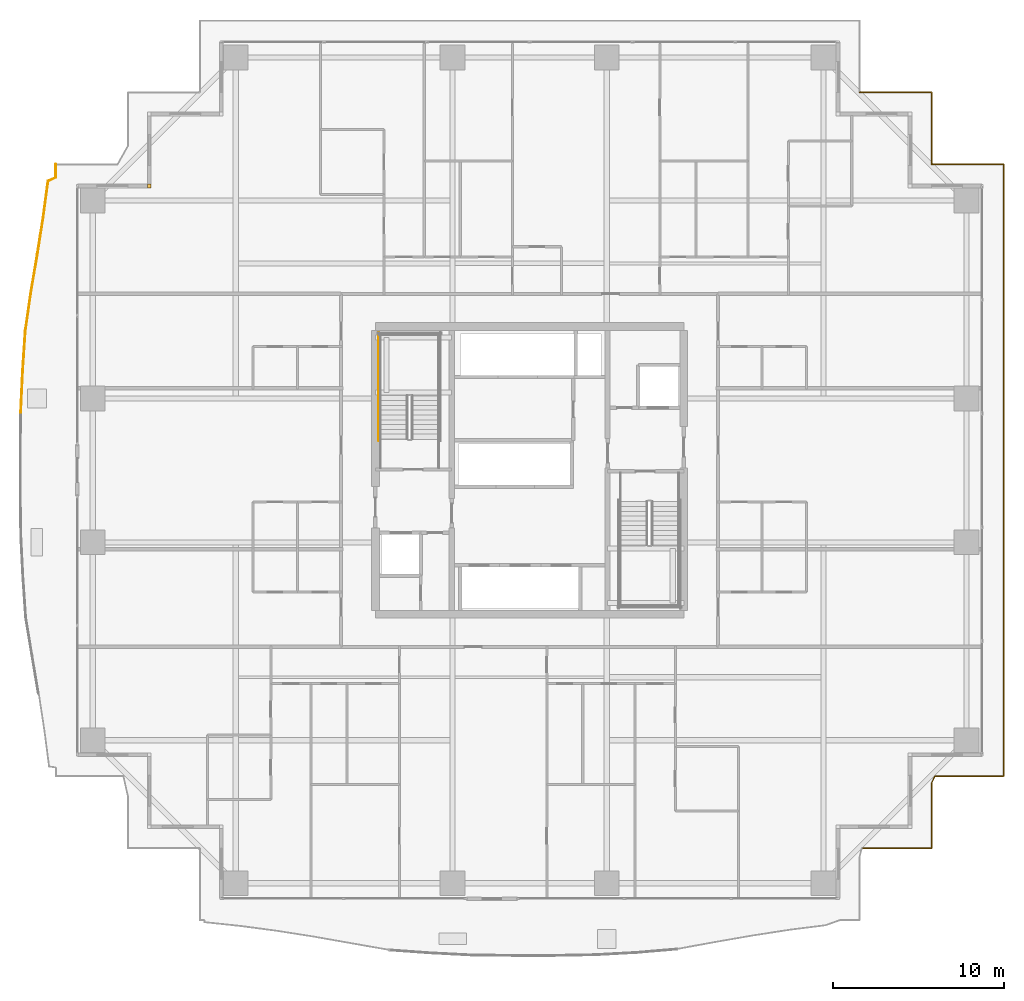
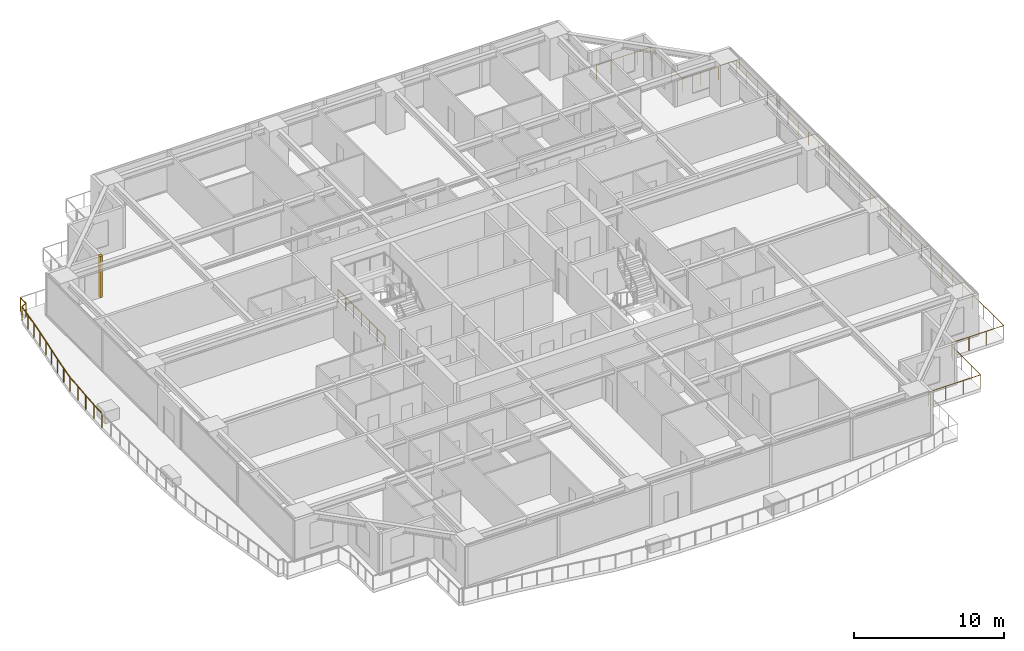
# One storey, part 38 of 40: 3 railings, 1 covering.
"""IFC4 building model written with IfcOpenShell, lengths in metres."""

from ifc_helpers import new_model, si_unit, direction, frame, origin, origin_2d, place, context, subcontext, project, spatial, rectangle, circle, extrude, source, transform, mapped, material, layer, layer_set, type_object, element, save


model = new_model("IFC4")

# Units and contexts
model_context = context("Model", 3, precision=1e-05, world=origin(), true_north=direction((0.0, 1.0)))
body_context = subcontext(model_context, "Body", "Model", "MODEL_VIEW")
ifc_project = project(units=[si_unit("LENGTHUNIT", "METRE"), si_unit("AREAUNIT", "SQUARE_METRE"), si_unit("VOLUMEUNIT", "CUBIC_METRE"), si_unit("PLANEANGLEUNIT", "RADIAN"), si_unit("MASSUNIT", "GRAM", prefix="KILO")], contexts=[model_context])

# Site, building, storey
site_placement = place(None, origin())
site = spatial("IfcSite", under=ifc_project, at=site_placement, CompositionType="ELEMENT")
building_placement = place(site_placement, origin())
building = spatial("IfcBuilding", under=site, at=building_placement, Name="Serunith Strait Residences", CompositionType="ELEMENT")
storey_placement = place(building_placement, frame((0.0, 0.0, 105.449951171875)))
storey = spatial("IfcBuildingStorey", under=building, at=storey_placement, Name="L26", CompositionType="ELEMENT", Elevation=105.449951171875)

# Railings
ifc_material_1 = material(Name="Stainless Steel & Laminated Glass Balustrade", Category="steel")
railing_type_1 = type_object("IfcRailingType", Name="RLG-BALC-1150", PredefinedType="BALUSTRADE", material=ifc_material_1)
railing_1_placement = place(storey_placement, frame((2.701416015625, 28.584228515625, -0.050048828125)))
element("IfcRailing", 1, at=railing_1_placement, inside=storey, type_object=railing_type_1, Name="L26 Swirling Balcony Perimeter Balustrade 3", PredefinedType="BALUSTRADE", context=body_context, shape_type="SweptSolid", body=[
    extrude(circle(Radius=0.02392578125, at=origin_2d()), frame((0.0, 0.001953125, 1.1259765625), z_axis=(0.0463713312, 0.998924271225, 0.0), x_axis=(-0.998924271225, 0.0463713312, 0.0)), (0.0, 0.0, 1.0), 2.38623046875),
    extrude(circle(Radius=0.02392578125, at=origin_2d()), frame((0.111083984375, 2.3896484375, 1.1259765625), z_axis=(0.065407942292, 0.997858607762, 0.0), x_axis=(-0.997858607762, 0.065407942292, 0.0)), (0.0, 0.0, 1.0), 2.358642578125),
    extrude(circle(Radius=0.02392578125, at=origin_2d()), frame((0.265625, 4.747314453125, 1.1259765625), z_axis=(0.143477418878, 0.989653591047, 0.0), x_axis=(-0.989653591047, 0.143477418878, 0.0)), (0.0, 0.0, 1.0), 2.289794921875),
    extrude(circle(Radius=0.02392578125, at=origin_2d()), frame((0.5947265625, 7.017333984375, 1.1259765625), z_axis=(0.16816404774, 0.985759023823, 0.0), x_axis=(-0.985759023823, 0.16816404774, 0.0)), (0.0, 0.0, 1.0), 2.224609375),
    extrude(circle(Radius=0.02392578125, at=origin_2d()), frame((0.969482421875, 9.214111328125, 1.1259765625), z_axis=(0.154663643939, 0.987967184295, 0.0), x_axis=(-0.987967184295, 0.154663643939, 0.0)), (0.0, 0.0, 1.0), 2.177490234375),
    extrude(circle(Radius=0.02392578125, at=origin_2d()), frame((1.306884765625, 11.369384765625, 1.1259765625), z_axis=(0.133294059954, 0.991076532656, 0.0), x_axis=(-0.991076532656, 0.133294059954, 0.0)), (0.0, 0.0, 1.0), 2.146240234375),
    extrude(circle(Radius=0.02392578125, at=origin_2d()), frame((1.594970703125, 13.499267578125, 1.1259765625), z_axis=(0.909442153205, 0.415830458209, 0.0), x_axis=(-0.415830458209, 0.909442153205, 0.0)), (0.0, 0.0, 1.0), 0.485595703125),
    extrude(circle(Radius=0.02392578125, at=origin_2d()), frame((2.03857421875, 13.7041015625, 1.1259765625), z_axis=(0.0, 1.0, 0.0), x_axis=(-1.0, 0.0, 0.0)), (0.0, 0.0, 1.0), 0.769775390625),
    extrude(circle(Radius=0.02099609375, at=origin_2d()), origin(), (0.0, 0.0, 1.0), 1.099853515625),
    extrude(circle(Radius=0.02099609375, at=origin_2d()), frame((0.055419921875, 1.19384765625, 0.0)), (0.0, 0.0, 1.0), 1.099853515625),
    extrude(circle(Radius=0.02099609375, at=origin_2d()), frame((0.11083984375, 2.3876953125, 0.0)), (0.0, 0.0, 1.0), 1.099853515625),
    extrude(circle(Radius=0.02099609375, at=origin_2d()), frame((0.18798828125, 3.56640625, 0.0)), (0.0, 0.0, 1.0), 1.099853515625),
    extrude(circle(Radius=0.02099609375, at=origin_2d()), frame((0.265380859375, 4.745361328125, 0.0)), (0.0, 0.0, 1.0), 1.099853515625),
    extrude(circle(Radius=0.02099609375, at=origin_2d()), frame((0.429931640625, 5.88037109375, 0.0)), (0.0, 0.0, 1.0), 1.099853515625),
    extrude(circle(Radius=0.02099609375, at=origin_2d()), frame((0.594482421875, 7.015380859375, 0.0)), (0.0, 0.0, 1.0), 1.099853515625),
    extrude(circle(Radius=0.02099609375, at=origin_2d()), frame((0.78173828125, 8.11376953125, 0.0)), (0.0, 0.0, 1.0), 1.099853515625),
    extrude(circle(Radius=0.02099609375, at=origin_2d()), frame((0.96923828125, 9.212158203125, 0.0)), (0.0, 0.0, 1.0), 1.099853515625),
    extrude(circle(Radius=0.02099609375, at=origin_2d()), frame((1.137939453125, 10.289794921875, 0.0)), (0.0, 0.0, 1.0), 1.099853515625),
    extrude(circle(Radius=0.02099609375, at=origin_2d()), frame((1.306640625, 11.367431640625, 0.0)), (0.0, 0.0, 1.0), 1.099853515625),
    extrude(circle(Radius=0.02099609375, at=origin_2d()), frame((1.449951171875, 12.43310546875, 0.0)), (0.0, 0.0, 1.0), 1.099853515625),
    extrude(circle(Radius=0.02099609375, at=origin_2d()), frame((1.59326171875, 13.49853515625, 0.0)), (0.0, 0.0, 1.0), 1.099853515625),
    extrude(circle(Radius=0.02099609375, at=origin_2d()), frame((2.03857421875, 13.7021484375, 0.0)), (0.0, 0.0, 1.0), 1.099853515625),
    extrude(circle(Radius=0.02099609375, at=origin_2d()), frame((2.03857421875, 14.475830078125, 0.0)), (0.0, 0.0, 1.0), 1.099853515625),
])
railing_2_placement = place(storey_placement, frame((51.659912109375, 47.260009765625, -0.050048828125)))
element("IfcRailing", 2, at=railing_2_placement, inside=storey, type_object=railing_type_1, Name="L26 Swirling Balcony Perimeter Balustrade 5", PredefinedType="BALUSTRADE", context=body_context, shape_type="SweptSolid", body=[
    extrude(circle(Radius=0.02392578125, at=origin_2d()), frame((0.001953125, 0.0, 1.1259765625), z_axis=(1.0, 0.0, 0.0), x_axis=(0.0, 1.0, 0.0)), (0.0, 0.0, 1.0), 4.1962890625),
    extrude(circle(Radius=0.02392578125, at=origin_2d()), frame((4.2001953125, -0.001953125, 1.1259765625), z_axis=(0.0, -1.0, 0.0), x_axis=(1.0, 0.0, 0.0)), (0.0, 0.0, 1.0), 4.196044921875),
    extrude(circle(Radius=0.02392578125, at=origin_2d()), frame((4.2021484375, -4.199951171875, 1.1259765625), z_axis=(1.0, 0.0, 0.0), x_axis=(0.0, 1.0, 0.0)), (0.0, 0.0, 1.0), 4.196044921875),
    extrude(circle(Radius=0.02392578125, at=origin_2d()), frame((8.400146484375, -4.201904296875, 1.1259765625), z_axis=(0.0, -1.0, 0.0), x_axis=(1.0, 0.0, 0.0)), (0.0, 0.0, 1.0), 35.716064453125),
    extrude(circle(Radius=0.02392578125, at=origin_2d()), frame((8.398193359375, -39.919921875, 1.1259765625), z_axis=(-1.0, 0.0, 0.0), x_axis=(0.0, -1.0, 0.0)), (0.0, 0.0, 1.0), 4.014892578125),
    extrude(circle(Radius=0.02392578125, at=origin_2d()), frame((4.380615234375, -39.921630859375, 1.1259765625), z_axis=(-0.414518347731, -0.91004095479, 0.0), x_axis=(0.91004095479, -0.414518347731, 0.0)), (0.0, 0.0, 1.0), 0.43310546875),
    extrude(circle(Radius=0.02392578125, at=origin_2d()), frame((4.2001953125, -40.319580078125, 1.1259765625), z_axis=(0.0, -1.0, 0.0), x_axis=(1.0, 0.0, 0.0)), (0.0, 0.0, 1.0), 3.798583984375),
    extrude(circle(Radius=0.02392578125, at=origin_2d()), frame((4.1982421875, -44.1201171875, 1.1259765625), z_axis=(-1.0, 0.0, 0.0), x_axis=(0.0, -1.0, 0.0)), (0.0, 0.0, 1.0), 4.059326171875),
    extrude(circle(Radius=0.02099609375, at=origin_2d()), origin(), (0.0, 0.0, 1.0), 1.099853515625),
    extrude(circle(Radius=0.02099609375, at=origin_2d()), frame((1.050048828125, 0.0, 0.0)), (0.0, 0.0, 1.0), 1.099853515625),
    extrude(circle(Radius=0.02099609375, at=origin_2d()), frame((2.10009765625, 0.0, 0.0)), (0.0, 0.0, 1.0), 1.099853515625),
    extrude(circle(Radius=0.02099609375, at=origin_2d()), frame((3.150146484375, 0.0, 0.0)), (0.0, 0.0, 1.0), 1.099853515625),
    extrude(circle(Radius=0.02099609375, at=origin_2d()), frame((4.2001953125, 0.0, 0.0)), (0.0, 0.0, 1.0), 1.099853515625),
    extrude(circle(Radius=0.02099609375, at=origin_2d()), frame((4.2001953125, -1.39990234375, 0.0)), (0.0, 0.0, 1.0), 1.099853515625),
    extrude(circle(Radius=0.02099609375, at=origin_2d()), frame((4.2001953125, -2.800048828125, 0.0)), (0.0, 0.0, 1.0), 1.099853515625),
    extrude(circle(Radius=0.02099609375, at=origin_2d()), frame((4.2001953125, -4.199951171875, 0.0)), (0.0, 0.0, 1.0), 1.099853515625),
    extrude(circle(Radius=0.02099609375, at=origin_2d()), frame((5.60009765625, -4.199951171875, 0.0)), (0.0, 0.0, 1.0), 1.099853515625),
    extrude(circle(Radius=0.02099609375, at=origin_2d()), frame((7.000244140625, -4.199951171875, 0.0)), (0.0, 0.0, 1.0), 1.099853515625),
    extrude(circle(Radius=0.02099609375, at=origin_2d()), frame((8.400146484375, -4.199951171875, 0.0)), (0.0, 0.0, 1.0), 1.099853515625),
    extrude(circle(Radius=0.02099609375, at=origin_2d()), frame((8.400146484375, -5.57373046875, 0.0)), (0.0, 0.0, 1.0), 1.099853515625),
    extrude(circle(Radius=0.02099609375, at=origin_2d()), frame((8.400146484375, -6.94775390625, 0.0)), (0.0, 0.0, 1.0), 1.099853515625),
    extrude(circle(Radius=0.02099609375, at=origin_2d()), frame((8.400146484375, -8.321533203125, 0.0)), (0.0, 0.0, 1.0), 1.099853515625),
    extrude(circle(Radius=0.02099609375, at=origin_2d()), frame((8.400146484375, -9.6953125, 0.0)), (0.0, 0.0, 1.0), 1.099853515625),
    extrude(circle(Radius=0.02099609375, at=origin_2d()), frame((8.400146484375, -11.069091796875, 0.0)), (0.0, 0.0, 1.0), 1.099853515625),
    extrude(circle(Radius=0.02099609375, at=origin_2d()), frame((8.400146484375, -12.443115234375, 0.0)), (0.0, 0.0, 1.0), 1.099853515625),
    extrude(circle(Radius=0.02099609375, at=origin_2d()), frame((8.400146484375, -13.81689453125, 0.0)), (0.0, 0.0, 1.0), 1.099853515625),
    extrude(circle(Radius=0.02099609375, at=origin_2d()), frame((8.400146484375, -15.190673828125, 0.0)), (0.0, 0.0, 1.0), 1.099853515625),
    extrude(circle(Radius=0.02099609375, at=origin_2d()), frame((8.400146484375, -16.564453125, 0.0)), (0.0, 0.0, 1.0), 1.099853515625),
    extrude(circle(Radius=0.02099609375, at=origin_2d()), frame((8.400146484375, -17.9384765625, 0.0)), (0.0, 0.0, 1.0), 1.099853515625),
    extrude(circle(Radius=0.02099609375, at=origin_2d()), frame((8.400146484375, -19.312255859375, 0.0)), (0.0, 0.0, 1.0), 1.099853515625),
    extrude(circle(Radius=0.02099609375, at=origin_2d()), frame((8.400146484375, -20.68603515625, 0.0)), (0.0, 0.0, 1.0), 1.099853515625),
    extrude(circle(Radius=0.02099609375, at=origin_2d()), frame((8.400146484375, -22.06005859375, 0.0)), (0.0, 0.0, 1.0), 1.099853515625),
    extrude(circle(Radius=0.02099609375, at=origin_2d()), frame((8.400146484375, -23.433837890625, 0.0)), (0.0, 0.0, 1.0), 1.099853515625),
    extrude(circle(Radius=0.02099609375, at=origin_2d()), frame((8.400146484375, -24.8076171875, 0.0)), (0.0, 0.0, 1.0), 1.099853515625),
    extrude(circle(Radius=0.02099609375, at=origin_2d()), frame((8.400146484375, -26.181396484375, 0.0)), (0.0, 0.0, 1.0), 1.099853515625),
    extrude(circle(Radius=0.02099609375, at=origin_2d()), frame((8.400146484375, -27.555419921875, 0.0)), (0.0, 0.0, 1.0), 1.099853515625),
    extrude(circle(Radius=0.02099609375, at=origin_2d()), frame((8.400146484375, -28.92919921875, 0.0)), (0.0, 0.0, 1.0), 1.099853515625),
    extrude(circle(Radius=0.02099609375, at=origin_2d()), frame((8.400146484375, -30.302978515625, 0.0)), (0.0, 0.0, 1.0), 1.099853515625),
    extrude(circle(Radius=0.02099609375, at=origin_2d()), frame((8.400146484375, -31.6767578125, 0.0)), (0.0, 0.0, 1.0), 1.099853515625),
    extrude(circle(Radius=0.02099609375, at=origin_2d()), frame((8.400146484375, -33.05078125, 0.0)), (0.0, 0.0, 1.0), 1.099853515625),
    extrude(circle(Radius=0.02099609375, at=origin_2d()), frame((8.400146484375, -34.424560546875, 0.0)), (0.0, 0.0, 1.0), 1.099853515625),
    extrude(circle(Radius=0.02099609375, at=origin_2d()), frame((8.400146484375, -35.79833984375, 0.0)), (0.0, 0.0, 1.0), 1.099853515625),
    extrude(circle(Radius=0.02099609375, at=origin_2d()), frame((8.400146484375, -37.172119140625, 0.0)), (0.0, 0.0, 1.0), 1.099853515625),
    extrude(circle(Radius=0.02099609375, at=origin_2d()), frame((8.400146484375, -38.546142578125, 0.0)), (0.0, 0.0, 1.0), 1.099853515625),
    extrude(circle(Radius=0.02099609375, at=origin_2d()), frame((8.400146484375, -39.919921875, 0.0)), (0.0, 0.0, 1.0), 1.099853515625),
    extrude(circle(Radius=0.02099609375, at=origin_2d()), frame((7.060546875, -39.919921875, 0.0)), (0.0, 0.0, 1.0), 1.099853515625),
    extrude(circle(Radius=0.02099609375, at=origin_2d()), frame((5.720947265625, -39.919921875, 0.0)), (0.0, 0.0, 1.0), 1.099853515625),
    extrude(circle(Radius=0.02099609375, at=origin_2d()), frame((4.38134765625, -39.919921875, 0.0)), (0.0, 0.0, 1.0), 1.099853515625),
    extrude(circle(Radius=0.02099609375, at=origin_2d()), frame((4.2001953125, -40.317626953125, 0.0)), (0.0, 0.0, 1.0), 1.099853515625),
    extrude(circle(Radius=0.02099609375, at=origin_2d()), frame((4.2001953125, -41.585205078125, 0.0)), (0.0, 0.0, 1.0), 1.099853515625),
    extrude(circle(Radius=0.02099609375, at=origin_2d()), frame((4.2001953125, -42.8525390625, 0.0)), (0.0, 0.0, 1.0), 1.099853515625),
    extrude(circle(Radius=0.02099609375, at=origin_2d()), frame((4.2001953125, -44.1201171875, 0.0)), (0.0, 0.0, 1.0), 1.099853515625),
    extrude(circle(Radius=0.02099609375, at=origin_2d()), frame((2.845703125, -44.1201171875, 0.0)), (0.0, 0.0, 1.0), 1.099853515625),
    extrude(circle(Radius=0.02099609375, at=origin_2d()), frame((1.491455078125, -44.1201171875, 0.0)), (0.0, 0.0, 1.0), 1.099853515625),
    extrude(circle(Radius=0.02099609375, at=origin_2d()), frame((0.136962890625, -44.1201171875, 0.0)), (0.0, 0.0, 1.0), 1.099853515625),
])
ifc_material_2 = material(Name="Brushed stainless steel 316L", Category="steel")
railing_type_2 = type_object("IfcRailingType", Name="RLG-STAIR-GUARD", PredefinedType="BALUSTRADE", material=ifc_material_2)
railing_3_placement = place(storey_placement, frame((23.60009765625, 26.929931640625, 0.0)))
element("IfcRailing", 3, at=railing_3_placement, inside=storey, type_object=railing_type_2, Name="L26 ST-1 stair guard 11", PredefinedType="BALUSTRADE", context=body_context, shape_type="SweptSolid", body=[
    extrude(circle(Radius=0.02392578125, at=origin_2d()), frame((0.0, 0.001953125, 1.076171875), z_axis=(0.0, 1.0, 0.0), x_axis=(-1.0, 0.0, 0.0)), (0.0, 0.0, 1.0), 6.316162109375),
    extrude(circle(Radius=0.02099609375, at=origin_2d()), origin(), (0.0, 0.0, 1.0), 1.050048828125),
    extrude(circle(Radius=0.02099609375, at=origin_2d()), frame((0.0, 1.05322265625, 0.0)), (0.0, 0.0, 1.0), 1.050048828125),
    extrude(circle(Radius=0.02099609375, at=origin_2d()), frame((0.0, 2.106689453125, 0.0)), (0.0, 0.0, 1.0), 1.050048828125),
    extrude(circle(Radius=0.02099609375, at=origin_2d()), frame((0.0, 3.16015625, 0.0)), (0.0, 0.0, 1.0), 1.050048828125),
    extrude(circle(Radius=0.02099609375, at=origin_2d()), frame((0.0, 4.21337890625, 0.0)), (0.0, 0.0, 1.0), 1.050048828125),
    extrude(circle(Radius=0.02099609375, at=origin_2d()), frame((0.0, 5.2666015625, 0.0)), (0.0, 0.0, 1.0), 1.050048828125),
    extrude(circle(Radius=0.02099609375, at=origin_2d()), frame((0.0, 6.320068359375, 0.0)), (0.0, 0.0, 1.0), 1.050048828125),
])

# Covering
ifc_material_3 = material(Name="Pale-Champagne Anodised Aluminium", Category="aluminium")
ifc_layer = layer(ifc_material_3, 0.219970703125, Name="Pale-Champagne Anodised Aluminium")
ifc_layer_set = layer_set([ifc_layer], Name="Pale-Champagne Anodised Aluminium")
covering_type = type_object("IfcCoveringType", Name="COV-CORN-TRIM", PredefinedType="CLADDING", material=ifc_layer_set)
shared_shape = source(origin(), body_context, "Body", "SweptSolid", [
    extrude(rectangle(XDim=0.221923828125, YDim=0.221923828125, at=origin_2d()), origin(), (0.0, 0.0, 1.0), 3.375),
])
covering_placement = place(storey_placement, frame((10.199951171875, 41.800048828125, 0.0), z_axis=(0.0, 0.0, 1.0), x_axis=(1.0, 0.0, 0.0)))
element("IfcCovering", 4, at=covering_placement, inside=storey, type_object=covering_type, Name="L26 Girih Serrated Corner Trim Post 14", PredefinedType="CLADDING", context=body_context, shape_type="MappedRepresentation", body=[
    mapped(shared_shape, transform((0.0, 0.0, 0.0), scale=1.0)),
])

save(model, "model.ifc")
